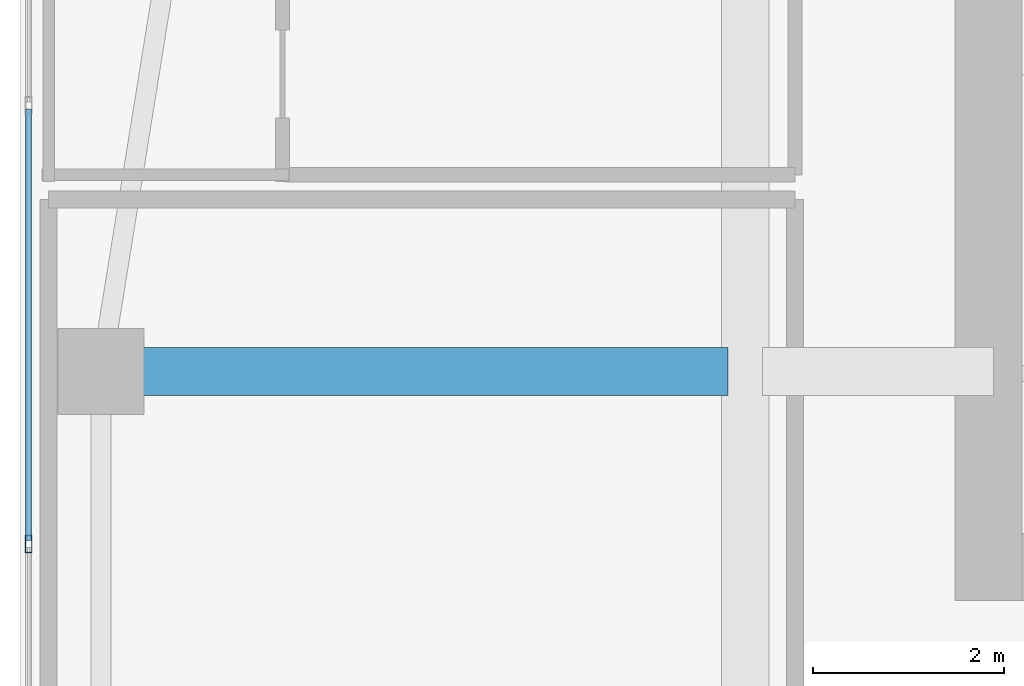
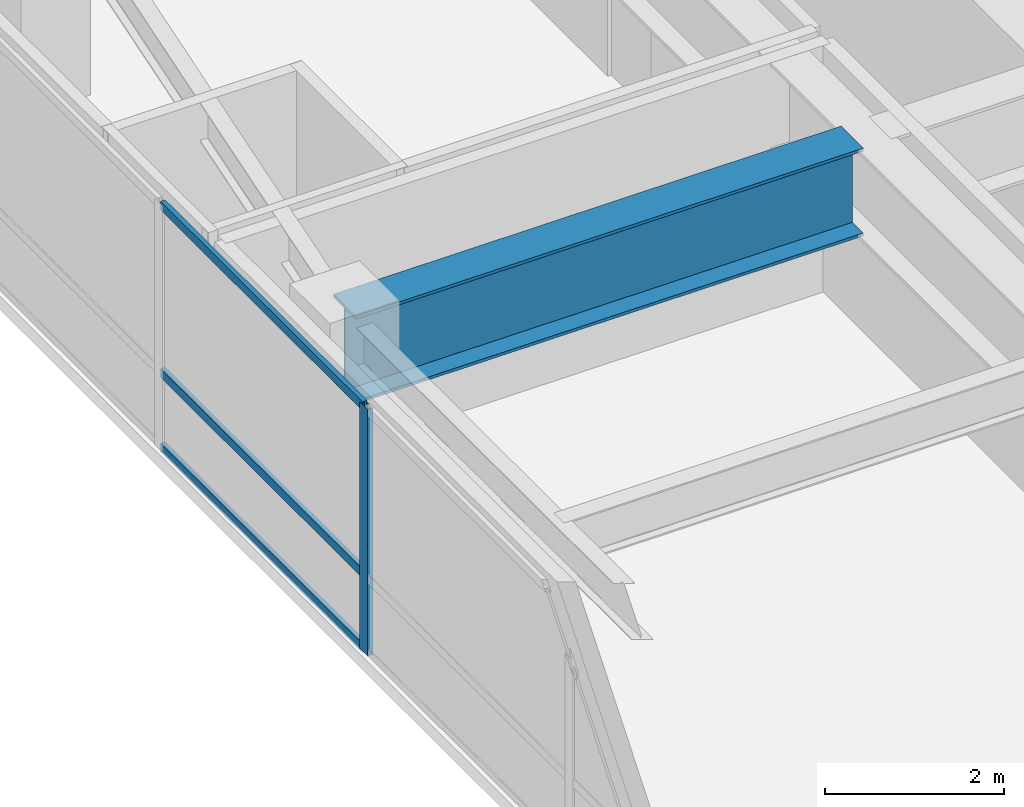
# One storey, part 17 of 30: 4 members, 1 beam, 1 element without a shape of its own.
"""IFC4 building model written with IfcOpenShell, lengths in metres."""

from ifc_helpers import new_model, si_unit, direction, frame, origin, origin_2d, place, context, subcontext, project, spatial, hollow_rectangle, i_section, extrude, source, transform, mapped, material, layer, layer_set, material_profile, profile_set, type_object, type_shapes, element, aggregate, save


model = new_model("IFC4")

# Units and contexts
model_context = context("Model", 3, precision=1e-05, world=origin(), true_north=direction((0.0, 1.0)))
body_context = subcontext(model_context, "Body", "Model", "MODEL_VIEW")
ifc_project = project(units=[si_unit("LENGTHUNIT", "METRE"), si_unit("AREAUNIT", "SQUARE_METRE"), si_unit("VOLUMEUNIT", "CUBIC_METRE"), si_unit("PLANEANGLEUNIT", "RADIAN"), si_unit("MASSUNIT", "GRAM", prefix="KILO")], contexts=[model_context])

# Site, building, storey
site_placement = place(None, origin())
site = spatial("IfcSite", under=ifc_project, at=site_placement, CompositionType="ELEMENT")
building_placement = place(site_placement, origin())
building = spatial("IfcBuilding", under=site, at=building_placement, Name="Tolvann Quenvar Hotel", CompositionType="ELEMENT")
storey_placement = place(building_placement, frame((0.0, 0.0, 100.89990234375)))
storey = spatial("IfcBuildingStorey", under=building, at=storey_placement, Name="L25", CompositionType="ELEMENT", Elevation=100.89990234375)

# Beam
ifc_material_1 = material(Name="Steel Grade 350", Category="steel")
ifc_material_profile_1 = material_profile(ifc_material_1, i_section(OverallWidth=0.5, OverallDepth=1.199951171875, WebThickness=0.01611328125, FlangeThickness=0.0400390625, at=origin_2d()), Name="1200WB455")
ifc_profile_set_1 = profile_set([ifc_material_profile_1], Name="Steel Grade 350")
beam_type = type_object("IfcBeamType", Name="BM_TG_1200WB455", PredefinedType="USERDEFINED", material=ifc_profile_set_1)
shared_shape_1 = source(origin(), body_context, "Body", "SweptSolid", [
    extrude(i_section(OverallWidth=0.5, OverallDepth=1.199951171875, WebThickness=0.01611328125, FlangeThickness=0.0400390625, at=origin_2d()), origin(), (0.0, 0.0, 1.0), 6.56982421875),
])
type_shapes(beam_type, [shared_shape_1])
beam_placement = place(storey_placement, frame((0.85009765625, 34.0, 2.77001953125), z_axis=(1.0, 0.0, 0.0), x_axis=(0.0, 1.0, 0.0)))
element("IfcBeam", 1, at=beam_placement, inside=storey, type_object=beam_type, Name="BM-L25-CTW-MID1", ObjectType="TRANSFER GIRDER", PredefinedType="USERDEFINED", context=body_context, shape_type="MappedRepresentation", body=[
    mapped(shared_shape_1, transform((0.0, 0.0, 0.0), x_axis=(1.0, 0.0, 0.0), y_axis=(0.0, 1.0, 0.0), z_axis=(0.0, 0.0, 1.0), scale=1.0)),
])

# Curtain wall, members
ifc_material_2 = material(Name="Thermally broken anodised architectural aluminium 6063-T6 and laminated low-E glass", Category="aluminium")
ifc_layer = layer(ifc_material_2, 0.179931640625)
ifc_layer_set = layer_set([ifc_layer], Name="Thermally broken anodised architectural aluminium 6063-T6 and laminated low-E glass")
curtain_wall_type = type_object("IfcCurtainWallType", Name="CW_SYS_BAND_04", PredefinedType="USERDEFINED", material=ifc_layer_set)
curtain_wall_placement = place(storey_placement, origin())
curtain_wall = element("IfcCurtainWall", 2, at=curtain_wall_placement, inside=storey, type_object=curtain_wall_type, Name="Curtain Wall CW-BAND-04 (CWR-L25-E23)", ObjectType="UNITISED CURTAIN WALL", PredefinedType="USERDEFINED")
ifc_material_3 = material(Name="Anodised architectural aluminium 6063-T6 framing", Category="aluminium")
ifc_material_profile_2 = material_profile(ifc_material_3, hollow_rectangle(XDim=0.070068359375, YDim=0.179931640625, WallThickness=0.00390625, at=origin_2d()), Name="180x70x4RHS")
ifc_profile_set_2 = profile_set([ifc_material_profile_2], Name="Anodised architectural aluminium 6063-T6 framing")
member_type_1 = type_object("IfcMemberType", Name="CW_MULL_180x70", PredefinedType="MULLION", material=ifc_profile_set_2)
shared_shape_2 = source(origin(), body_context, "Body", "SweptSolid", [
    extrude(hollow_rectangle(XDim=0.070068359375, YDim=0.179931640625, WallThickness=0.00390625, at=origin_2d()), origin(), (0.0, 0.0, 1.0), 3.3701171875),
])
type_shapes(member_type_1, [shared_shape_2])
member_1_placement = place(storey_placement, frame((0.090087890625, 32.19140625, 0.0), z_axis=(0.0, 0.0, 1.0), x_axis=(1.0, 0.0, 0.0)))
member_1 = element("IfcMember", 3, at=member_1_placement, type_object=member_type_1, Name="CW-BAND-04 mullion 3", PredefinedType="MULLION", context=body_context, shape_type="MappedRepresentation", body=[
    mapped(shared_shape_2, transform((0.0, 0.0, 0.0), x_axis=(1.0, 0.0, 0.0), y_axis=(0.0, 1.0, 0.0), z_axis=(0.0, 0.0, 1.0), scale=1.0)),
])
ifc_material_profile_3 = material_profile(ifc_material_3, hollow_rectangle(XDim=0.06005859375, YDim=0.1201171875, WallThickness=0.00341796875, at=origin_2d()), Name="120x60x3.5RHS")
ifc_profile_set_3 = profile_set([ifc_material_profile_3], Name="Anodised architectural aluminium 6063-T6 framing")
member_type_2 = type_object("IfcMemberType", Name="CW_TRAN_120x60", PredefinedType="USERDEFINED", material=ifc_profile_set_3)
shared_shape_3 = source(origin(), body_context, "Body", "SweptSolid", [
    extrude(hollow_rectangle(XDim=0.06005859375, YDim=0.1201171875, WallThickness=0.00341796875, at=origin_2d()), origin(), (0.0, 0.0, 1.0), 4.52587890625),
])
type_shapes(member_type_2, [shared_shape_3])
member_2_placement = place(storey_placement, frame((0.090087890625, 36.752197265625, 0.030029296875), z_axis=(0.0, -1.0, 0.0), x_axis=(1.0, 0.0, 0.0)))
member_2 = element("IfcMember", 4, at=member_2_placement, type_object=member_type_2, Name="CW-BAND-04 transom 2.1", ObjectType="TRANSOM", PredefinedType="USERDEFINED", context=body_context, shape_type="MappedRepresentation", body=[
    mapped(shared_shape_3, transform((0.0, 0.0, 0.0), x_axis=(1.0, 0.0, 0.0), y_axis=(0.0, 1.0, 0.0), z_axis=(0.0, 0.0, 1.0), scale=1.0)),
])
member_3_placement = place(storey_placement, frame((0.090087890625, 36.752197265625, 1.050048828125), z_axis=(0.0, -1.0, 0.0), x_axis=(1.0, 0.0, 0.0)))
member_3 = element("IfcMember", 5, at=member_3_placement, type_object=member_type_2, Name="CW-BAND-04 transom 2.2", ObjectType="TRANSOM", PredefinedType="USERDEFINED", context=body_context, shape_type="MappedRepresentation", body=[
    mapped(shared_shape_3, transform((0.0, 0.0, 0.0), x_axis=(1.0, 0.0, 0.0), y_axis=(0.0, 1.0, 0.0), z_axis=(0.0, 0.0, 1.0), scale=1.0)),
])
member_4_placement = place(storey_placement, frame((0.090087890625, 36.752197265625, 3.340087890625), z_axis=(0.0, -1.0, 0.0), x_axis=(1.0, 0.0, 0.0)))
member_4 = element("IfcMember", 6, at=member_4_placement, type_object=member_type_2, Name="CW-BAND-04 transom 2.3", ObjectType="TRANSOM", PredefinedType="USERDEFINED", context=body_context, shape_type="MappedRepresentation", body=[
    mapped(shared_shape_3, transform((0.0, 0.0, 0.0), x_axis=(1.0, 0.0, 0.0), y_axis=(0.0, 1.0, 0.0), z_axis=(0.0, 0.0, 1.0), scale=1.0)),
])
aggregate(curtain_wall, [member_1, member_2, member_3, member_4])

save(model, "model.ifc")
